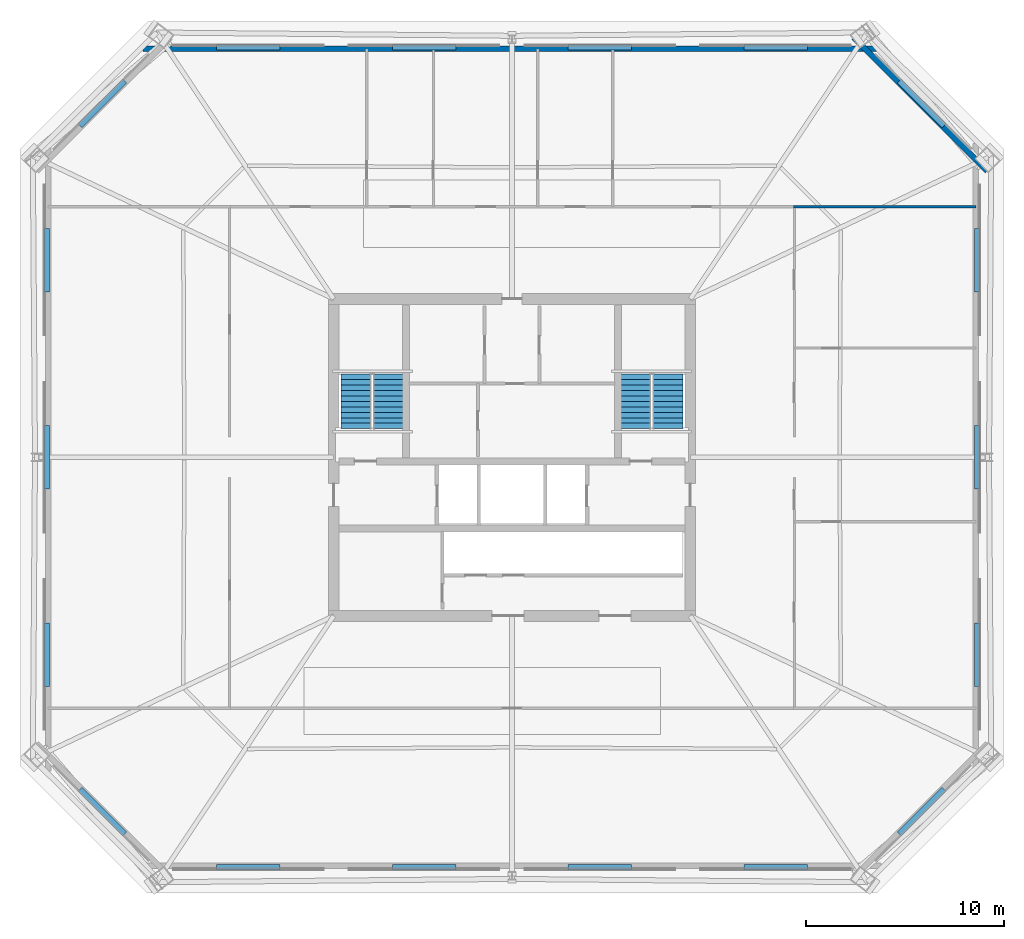
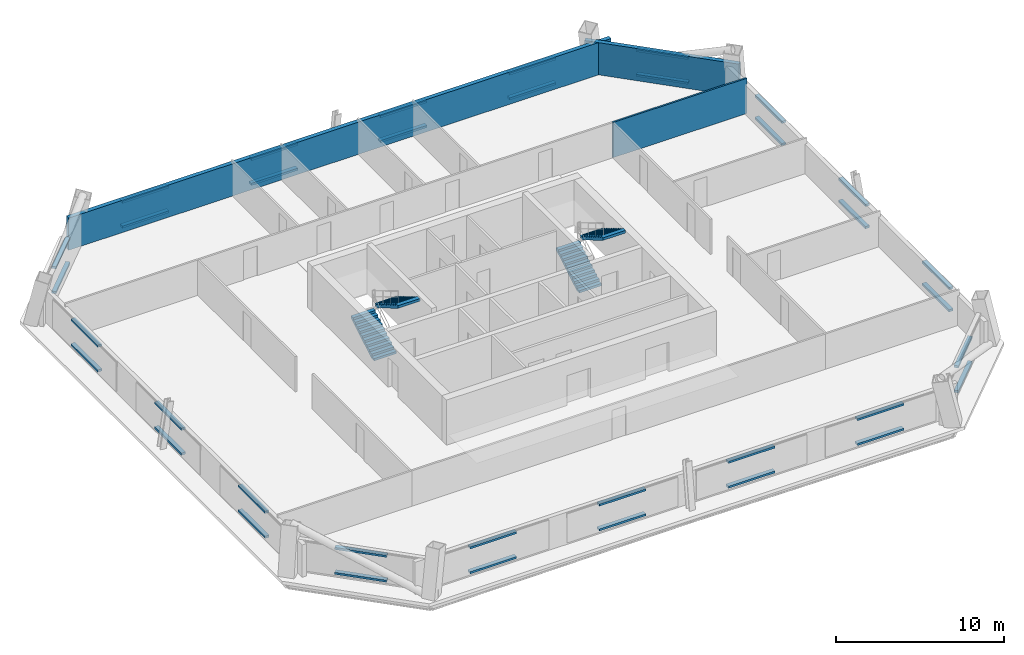
# One storey, part 4 of 6: 36 discrete accessories, 4 stair flights, 3 walls, 2 elements without a shape of their own.
"""IFC4 building model written with IfcOpenShell, lengths in metres."""

from ifc_helpers import new_model, si_unit, direction, frame, frame_2d, origin, origin_2d, place, context, subcontext, project, spatial, polyline, rectangle, outline, extrude, material, layer, layer_set, type_object, element, aggregate, save


model = new_model("IFC4")

# Units and contexts
model_context = context("Model", 3, precision=1e-05, world=origin(), true_north=direction((0.0, 1.0)))
body_context = subcontext(model_context, "Body", "Model", "MODEL_VIEW")
ifc_project = project(units=[si_unit("LENGTHUNIT", "METRE"), si_unit("AREAUNIT", "SQUARE_METRE"), si_unit("VOLUMEUNIT", "CUBIC_METRE"), si_unit("PLANEANGLEUNIT", "RADIAN"), si_unit("MASSUNIT", "GRAM", prefix="KILO")], contexts=[model_context])

# Site, building, storey
site_placement = place(None, origin())
site = spatial("IfcSite", under=ifc_project, at=site_placement, CompositionType="ELEMENT")
building_placement = place(site_placement, origin())
building = spatial("IfcBuilding", under=site, at=building_placement, Name="Caelvoria Tower", CompositionType="ELEMENT")
storey_placement = place(building_placement, frame((0.0, 0.0, 163.60009765625)))
storey = spatial("IfcBuildingStorey", under=building, at=storey_placement, Name="L43", CompositionType="ELEMENT", Elevation=163.60009765625)

# Walls
ifc_material_1 = material(Name="Precast Concrete C40/50 with Bronze Cladding", Category="concrete")
ifc_layer_1 = layer(ifc_material_1, 0.280029296875, Name="Precast Concrete C40/50 with Bronze Cladding")
ifc_layer_set_1 = layer_set([ifc_layer_1], Name="Exterior Precast Concrete C40/50 Bronze-Clad Facade Wall 280 - Precast Concrete C40/50 with Bronze Cladding")
wall_type_1 = type_object("IfcWallType", Name="Exterior Precast Concrete C40/50 Bronze-Clad Facade Wall 280", PredefinedType="STANDARD", material=ifc_layer_set_1)
wall_1_placement = place(storey_placement, frame((69.993896484375, 46.45458984375, 0.0), z_axis=(0.0, 0.0, 1.0), x_axis=(-0.707119588888, 0.707093973253, 0.0)))
element("IfcWall", 1, at=wall_1_placement, inside=storey, type_object=wall_type_1, Name="Exterior Facade Wall L43-E3", PredefinedType="STANDARD", context=body_context, shape_type="SweptSolid", body=[
    extrude(rectangle(XDim=9.531005859375, YDim=0.280029296875, at=frame_2d((4.765625, 0.0))), origin(), (0.0, 0.0, 1.0), 2.343017578125),
])
wall_2_placement = place(storey_placement, frame((64.639892578125, 52.6201171875, 0.0), z_axis=(0.0, 0.0, 1.0), x_axis=(-1.0, 0.0, 0.0)))
element("IfcWall", 2, at=wall_2_placement, inside=storey, type_object=wall_type_1, Name="Exterior Facade Wall L43-E4", PredefinedType="STANDARD", context=body_context, shape_type="SweptSolid", body=[
    extrude(rectangle(XDim=37.27978515625, YDim=0.280029296875, at=frame_2d((18.639892578125, 0.0))), origin(), (0.0, 0.0, 1.0), 2.343017578125),
])
ifc_material_2 = material(Name="Acoustic Gypsum Board on Light-Gauge Stud", Category="gypsum")
ifc_layer_2 = layer(ifc_material_2, 0.1201171875, Name="Acoustic Gypsum Board on Light-Gauge Stud")
ifc_layer_set_2 = layer_set([ifc_layer_2], Name="Tenant Suite Acoustic Partition Wall 120 - Acoustic Gypsum Board on Light-Gauge Stud")
wall_type_2 = type_object("IfcWallType", Name="Tenant Suite Acoustic Partition Wall 120", PredefinedType="PARTITIONING", material=ifc_layer_set_2)
wall_3_placement = place(storey_placement, frame((60.199951171875, 44.659912109375, 0.0), z_axis=(0.0, 0.0, 1.0), x_axis=(1.0, 0.0, 0.0)))
element("IfcWall", 3, at=wall_3_placement, inside=storey, type_object=wall_type_2, Name="Interior Partition IW-L43-BNE-0", PredefinedType="PARTITIONING", context=body_context, shape_type="SweptSolid", body=[
    extrude(rectangle(XDim=9.219970703125, YDim=0.1201171875, at=frame_2d((4.60986328125, 0.0))), origin(), (0.0, 0.0, 1.0), 2.559814453125),
])

# Stair, stair flights
ifc_material_3 = material(Name="Concrete C40/50", Category="concrete")
stair_type = type_object("IfcStairType", Name="Core Smokeproof Dogleg Stair Concrete C40/50", PredefinedType="HALF_TURN_STAIR", material=ifc_material_3)
stair_1_placement = place(storey_placement, origin())
stair_1 = element("IfcStair", 4, at=stair_1_placement, inside=storey, type_object=stair_type, Name="ST-01 Smokeproof Exit Stair L43", PredefinedType="HALF_TURN_STAIR")
ifc_material_4 = material(Name="Precast Concrete C40/50", Category="concrete")
stair_flight_type = type_object("IfcStairFlightType", Name="Precast Concrete C40/50 Stair Flight 1480", PredefinedType="STRAIGHT", material=ifc_material_4)
stair_flight_1_placement = place(storey_placement, frame((38.1298828125, 33.449951171875, 0.0), z_axis=(0.0, 0.0, 1.0), x_axis=(0.0, 1.0, 0.0)))
stair_flight_1 = element("IfcStairFlight", 5, at=stair_flight_1_placement, type_object=stair_flight_type, Name="ST-01 flight 1", NumberOfRisers=11, NumberOfTreads=10, PredefinedType="STRAIGHT", RiserHeight=0.1636, TreadLength=0.275, context=body_context, shape_type="SweptSolid", body=[
    extrude(outline(polyline([(0.0, 0.0), (0.0, 0.16357421875), (0.27490234375, 0.16357421875), (0.27490234375, 0.3271484375), (0.550048828125, 0.3271484375), (0.550048828125, 0.49072265625), (0.824951171875, 0.49072265625), (0.824951171875, 0.654296875), (1.10009765625, 0.654296875), (1.10009765625, 0.818115234375), (1.375, 0.818115234375), (1.375, 0.981689453125), (1.64990234375, 0.981689453125), (1.64990234375, 1.145263671875), (1.925048828125, 1.145263671875), (1.925048828125, 1.308837890625), (2.199951171875, 1.308837890625), (2.199951171875, 1.472412109375), (2.47509765625, 1.472412109375), (2.47509765625, 1.635986328125), (2.75, 1.635986328125), (2.75, 1.799560546875), (2.75, 1.449951171875), (0.312744140625, 0.0), (0.0, 0.0)])), frame((0.0, 0.77001953125, 0.0), z_axis=(0.0, -1.0, 0.0), x_axis=(1.0, 0.0, 0.0)), (0.0, 0.0, 1.0), 1.5400390625),
])
stair_flight_2_placement = place(storey_placement, frame((39.77001953125, 36.199951171875, 1.7998046875), z_axis=(0.0, 0.0, 1.0), x_axis=(0.0, -1.0, 0.0)))
stair_flight_2 = element("IfcStairFlight", 6, at=stair_flight_2_placement, type_object=stair_flight_type, Name="ST-01 flight 2", NumberOfRisers=11, NumberOfTreads=10, PredefinedType="STRAIGHT", RiserHeight=0.1636, TreadLength=0.275, context=body_context, shape_type="SweptSolid", body=[
    extrude(outline(polyline([(0.0, 0.0), (0.0, 0.16357421875), (0.27490234375, 0.16357421875), (0.27490234375, 0.3271484375), (0.550048828125, 0.3271484375), (0.550048828125, 0.49072265625), (0.824951171875, 0.49072265625), (0.824951171875, 0.654296875), (1.10009765625, 0.654296875), (1.10009765625, 0.818115234375), (1.375, 0.818115234375), (1.375, 0.981689453125), (1.64990234375, 0.981689453125), (1.64990234375, 1.145263671875), (1.925048828125, 1.145263671875), (1.925048828125, 1.308837890625), (2.199951171875, 1.308837890625), (2.199951171875, 1.472412109375), (2.47509765625, 1.472412109375), (2.47509765625, 1.635986328125), (2.75, 1.635986328125), (2.75, 1.799560546875), (2.75, 1.449951171875), (0.312744140625, 0.0), (0.0, 0.0)])), frame((0.0, 0.77001953125, 0.0), z_axis=(0.0, -1.0, 0.0), x_axis=(1.0, 0.0, 0.0)), (0.0, 0.0, 1.0), 1.5400390625),
])
aggregate(stair_1, [stair_flight_1, stair_flight_2])

stair_2_placement = place(storey_placement, origin())
stair_2 = element("IfcStair", 7, at=stair_2_placement, inside=storey, type_object=stair_type, Name="ST-02 Smokeproof Exit Stair L43", PredefinedType="HALF_TURN_STAIR")
stair_flight_3_placement = place(storey_placement, frame((52.22998046875, 33.449951171875, 0.0), z_axis=(0.0, 0.0, 1.0), x_axis=(0.0, 1.0, 0.0)))
stair_flight_3 = element("IfcStairFlight", 8, at=stair_flight_3_placement, type_object=stair_flight_type, Name="ST-02 flight 1", NumberOfRisers=11, NumberOfTreads=10, PredefinedType="STRAIGHT", RiserHeight=0.1636, TreadLength=0.275, context=body_context, shape_type="SweptSolid", body=[
    extrude(outline(polyline([(0.0, 0.0), (0.0, 0.16357421875), (0.27490234375, 0.16357421875), (0.27490234375, 0.3271484375), (0.550048828125, 0.3271484375), (0.550048828125, 0.49072265625), (0.824951171875, 0.49072265625), (0.824951171875, 0.654296875), (1.10009765625, 0.654296875), (1.10009765625, 0.818115234375), (1.375, 0.818115234375), (1.375, 0.981689453125), (1.64990234375, 0.981689453125), (1.64990234375, 1.145263671875), (1.925048828125, 1.145263671875), (1.925048828125, 1.308837890625), (2.199951171875, 1.308837890625), (2.199951171875, 1.472412109375), (2.47509765625, 1.472412109375), (2.47509765625, 1.635986328125), (2.75, 1.635986328125), (2.75, 1.799560546875), (2.75, 1.449951171875), (0.312744140625, 0.0), (0.0, 0.0)])), frame((0.0, 0.77001953125, 0.0), z_axis=(0.0, -1.0, 0.0), x_axis=(1.0, 0.0, 0.0)), (0.0, 0.0, 1.0), 1.5400390625),
])
stair_flight_4_placement = place(storey_placement, frame((53.8701171875, 36.199951171875, 1.7998046875), z_axis=(0.0, 0.0, 1.0), x_axis=(0.0, -1.0, 0.0)))
stair_flight_4 = element("IfcStairFlight", 9, at=stair_flight_4_placement, type_object=stair_flight_type, Name="ST-02 flight 2", NumberOfRisers=11, NumberOfTreads=10, PredefinedType="STRAIGHT", RiserHeight=0.1636, TreadLength=0.275, context=body_context, shape_type="SweptSolid", body=[
    extrude(outline(polyline([(0.0, 0.0), (0.0, 0.16357421875), (0.27490234375, 0.16357421875), (0.27490234375, 0.3271484375), (0.550048828125, 0.3271484375), (0.550048828125, 0.49072265625), (0.824951171875, 0.49072265625), (0.824951171875, 0.654296875), (1.10009765625, 0.654296875), (1.10009765625, 0.818115234375), (1.375, 0.818115234375), (1.375, 0.981689453125), (1.64990234375, 0.981689453125), (1.64990234375, 1.145263671875), (1.925048828125, 1.145263671875), (1.925048828125, 1.308837890625), (2.199951171875, 1.308837890625), (2.199951171875, 1.472412109375), (2.47509765625, 1.472412109375), (2.47509765625, 1.635986328125), (2.75, 1.635986328125), (2.75, 1.799560546875), (2.75, 1.449951171875), (0.312744140625, 0.0), (0.0, 0.0)])), frame((0.0, 0.77001953125, 0.0), z_axis=(0.0, -1.0, 0.0), x_axis=(1.0, 0.0, 0.0)), (0.0, 0.0, 1.0), 1.5400390625),
])
aggregate(stair_2, [stair_flight_3, stair_flight_4])

# Discrete accessories
ifc_material_5 = material(Name="Anodised Bronze Stainless Bracket", Category="bronze")
discrete_accessory_type = type_object("IfcDiscreteAccessoryType", Name="Solar Screen Outrigger Support Bracket", PredefinedType="BRACKET", material=ifc_material_5)
for number, where, z_axis, x_axis, name in (
    (10, (32.695068359375, 11.302978515625, 0.23974609375), (0.0, 0.0, 1.0), (1.0, 0.0, 0.0), "Solar Screen Bracket L43-E0-00"),
    (11, (32.695068359375, 11.302978515625, 2.04296875), (0.0, 0.0, 1.0), (1.0, 0.0, 0.0), "Upper Screen Band Bracket L43-E0-00"),
    (12, (41.56494140625, 11.302978515625, 0.23974609375), (0.0, 0.0, 1.0), (1.0, 0.0, 0.0), "Solar Screen Bracket L43-E0-01"),
    (13, (41.56494140625, 11.302978515625, 2.04296875), (0.0, 0.0, 1.0), (1.0, 0.0, 0.0), "Upper Screen Band Bracket L43-E0-01"),
    (14, (50.43505859375, 11.302978515625, 0.23974609375), (0.0, 0.0, 1.0), (1.0, 0.0, 0.0), "Solar Screen Bracket L43-E0-02"),
    (15, (50.43505859375, 11.302978515625, 2.04296875), (0.0, 0.0, 1.0), (1.0, 0.0, 0.0), "Upper Screen Band Bracket L43-E0-02"),
    (16, (59.304931640625, 11.302978515625, 0.23974609375), (0.0, 0.0, 1.0), (1.0, 0.0, 0.0), "Solar Screen Bracket L43-E0-03"),
    (17, (59.304931640625, 11.302978515625, 2.04296875), (0.0, 0.0, 1.0), (1.0, 0.0, 0.0), "Upper Screen Band Bracket L43-E0-03"),
    (18, (66.6787109375, 14.121337890625, 0.23974609375), (0.0, 0.0, 1.0), (0.707106781187, 0.707106781187, 0.0), "Solar Screen Bracket L43-E1-00"),
    (19, (66.6787109375, 14.121337890625, 2.04296875), (0.0, 0.0, 1.0), (0.707106781187, 0.707106781187, 0.0), "Upper Screen Band Bracket L43-E1-00"),
    (20, (69.4970703125, 22.0400390625, 0.23974609375), (0.0, 0.0, 1.0), (0.0, 1.0, 0.0), "Solar Screen Bracket L43-E2-00"),
    (21, (69.4970703125, 22.0400390625, 1.85107421875), (0.0, 0.0, 1.0), (0.0, 1.0, 0.0), "Upper Screen Band Bracket L43-E2-00"),
    (22, (69.4970703125, 32.0, 0.23974609375), (0.0, 0.0, 1.0), (0.0, 1.0, 0.0), "Solar Screen Bracket L43-E2-01"),
    (23, (69.4970703125, 32.0, 1.85107421875), (0.0, 0.0, 1.0), (0.0, 1.0, 0.0), "Upper Screen Band Bracket L43-E2-01"),
    (24, (69.4970703125, 41.9599609375, 0.23974609375), (0.0, 0.0, 1.0), (0.0, 1.0, 0.0), "Solar Screen Bracket L43-E2-02"),
    (25, (69.4970703125, 41.9599609375, 1.85107421875), (0.0, 0.0, 1.0), (0.0, 1.0, 0.0), "Upper Screen Band Bracket L43-E2-02"),
    (26, (66.6787109375, 49.878662109375, 0.23974609375), (0.0, 0.0, 1.0), (-0.707106781187, 0.707106781187, 0.0), "Solar Screen Bracket L43-E3-00"),
    (27, (66.6787109375, 49.878662109375, 2.04296875), (0.0, 0.0, 1.0), (-0.707106781187, 0.707106781187, 0.0), "Upper Screen Band Bracket L43-E3-00"),
    (28, (59.304931640625, 52.697021484375, 0.23974609375), (0.0, 0.0, 1.0), (-1.0, 0.0, 0.0), "Solar Screen Bracket L43-E4-00"),
    (29, (59.304931640625, 52.697021484375, 2.04296875), (0.0, 0.0, 1.0), (-1.0, 0.0, 0.0), "Upper Screen Band Bracket L43-E4-00"),
    (30, (50.43505859375, 52.697021484375, 0.23974609375), (0.0, 0.0, 1.0), (-1.0, 0.0, 0.0), "Solar Screen Bracket L43-E4-01"),
    (31, (50.43505859375, 52.697021484375, 2.04296875), (0.0, 0.0, 1.0), (-1.0, 0.0, 0.0), "Upper Screen Band Bracket L43-E4-01"),
    (32, (41.56494140625, 52.697021484375, 0.23974609375), (0.0, 0.0, 1.0), (-1.0, 0.0, 0.0), "Solar Screen Bracket L43-E4-02"),
    (33, (41.56494140625, 52.697021484375, 2.04296875), (0.0, 0.0, 1.0), (-1.0, 0.0, 0.0), "Upper Screen Band Bracket L43-E4-02"),
    (34, (32.695068359375, 52.697021484375, 0.23974609375), (0.0, 0.0, 1.0), (-1.0, 0.0, 0.0), "Solar Screen Bracket L43-E4-03"),
    (35, (32.695068359375, 52.697021484375, 2.04296875), (0.0, 0.0, 1.0), (-1.0, 0.0, 0.0), "Upper Screen Band Bracket L43-E4-03"),
    (36, (25.3212890625, 49.878662109375, 0.23974609375), (0.0, 0.0, 1.0), (-0.707106781187, -0.707106781187, 0.0), "Solar Screen Bracket L43-E5-00"),
    (37, (25.3212890625, 49.878662109375, 2.04296875), (0.0, 0.0, 1.0), (-0.707106781187, -0.707106781187, 0.0), "Upper Screen Band Bracket L43-E5-00"),
    (38, (22.5029296875, 41.9599609375, 0.23974609375), (0.0, 0.0, 1.0), (0.0, -1.0, 0.0), "Solar Screen Bracket L43-E6-00"),
    (39, (22.5029296875, 41.9599609375, 2.04296875), (0.0, 0.0, 1.0), (0.0, -1.0, 0.0), "Upper Screen Band Bracket L43-E6-00"),
    (40, (22.5029296875, 32.0, 0.23974609375), (0.0, 0.0, 1.0), (0.0, -1.0, 0.0), "Solar Screen Bracket L43-E6-01"),
    (41, (22.5029296875, 32.0, 2.04296875), (0.0, 0.0, 1.0), (0.0, -1.0, 0.0), "Upper Screen Band Bracket L43-E6-01"),
    (42, (22.5029296875, 22.0400390625, 0.23974609375), (0.0, 0.0, 1.0), (0.0, -1.0, 0.0), "Solar Screen Bracket L43-E6-02"),
    (43, (22.5029296875, 22.0400390625, 2.04296875), (0.0, 0.0, 1.0), (0.0, -1.0, 0.0), "Upper Screen Band Bracket L43-E6-02"),
    (44, (25.3212890625, 14.121337890625, 0.23974609375), (0.0, 0.0, 1.0), (0.707106781187, -0.707106781187, 0.0), "Solar Screen Bracket L43-E7-00"),
    (45, (25.3212890625, 14.121337890625, 2.04296875), (0.0, 0.0, 1.0), (0.707106781187, -0.707106781187, 0.0), "Upper Screen Band Bracket L43-E7-00"),
):
    element("IfcDiscreteAccessory", number, at=place(storey_placement, frame(where, z_axis=z_axis, x_axis=x_axis)), inside=storey, type_object=discrete_accessory_type, Name=name, PredefinedType="BRACKET", context=body_context, shape_type="SweptSolid", body=[
        extrude(rectangle(XDim=3.199951171875, YDim=0.280029296875, at=origin_2d()), origin(), (0.0, 0.0, 1.0), 0.159912109375),
    ])

save(model, "model.ifc")
